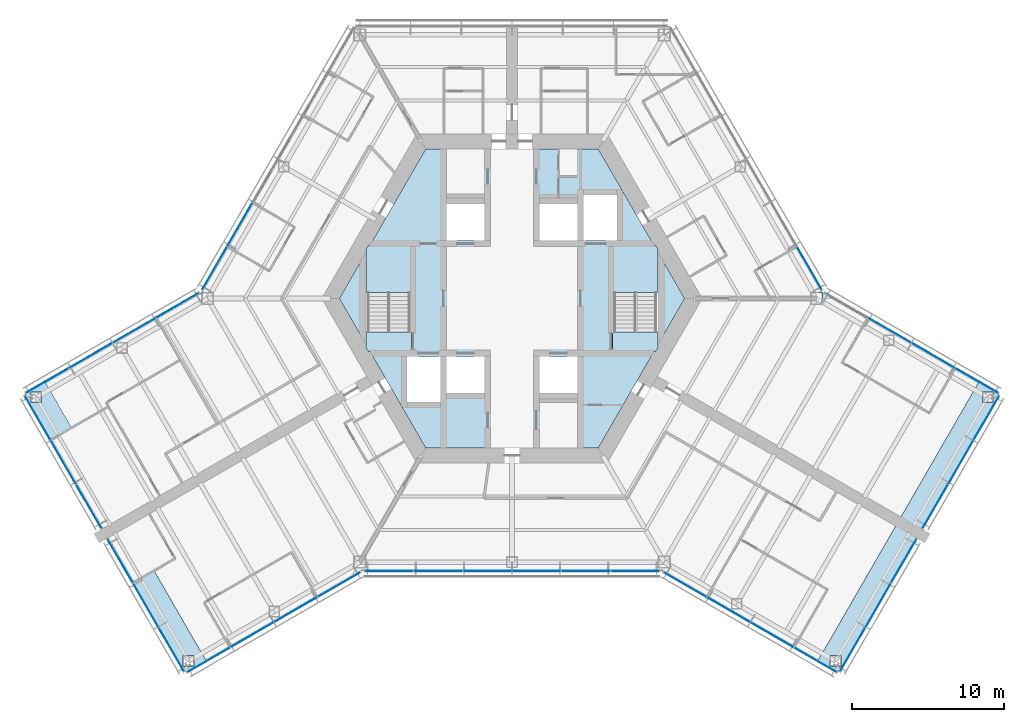
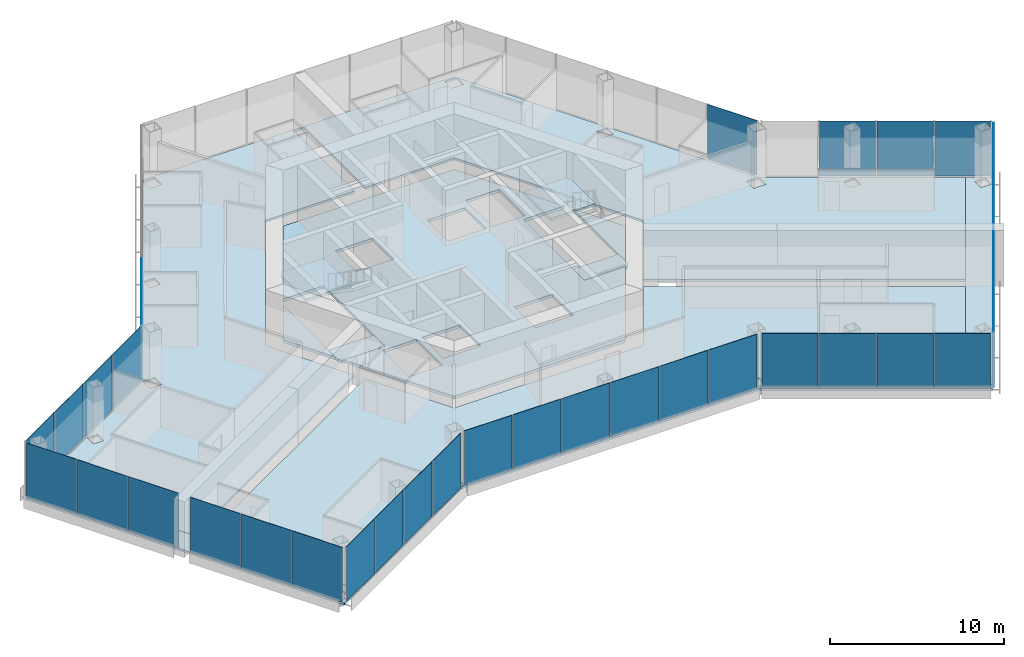
# One storey, part 10 of 18: 36 plates, 11 slabs, 13 elements without a shape of their own.
"""IFC4 building model written with IfcOpenShell, lengths in metres."""

from ifc_helpers import new_model, si_unit, direction, frame, origin, origin_2d, place, context, subcontext, project, spatial, polyline, rectangle, outline, extrude, material, layer, layer_set, type_object, element, aggregate, save


model = new_model("IFC4")

# Units and contexts
model_context = context("Model", 3, precision=1e-05, world=origin(), true_north=direction((0.0, 1.0)))
body_context = subcontext(model_context, "Body", "Model", "MODEL_VIEW")
ifc_project = project(units=[si_unit("LENGTHUNIT", "METRE"), si_unit("AREAUNIT", "SQUARE_METRE"), si_unit("VOLUMEUNIT", "CUBIC_METRE"), si_unit("PLANEANGLEUNIT", "RADIAN"), si_unit("MASSUNIT", "GRAM", prefix="KILO")], contexts=[model_context])

# Site, building, storey
site_placement = place(None, origin())
site = spatial("IfcSite", under=ifc_project, at=site_placement, CompositionType="ELEMENT")
building_placement = place(site_placement, origin())
building = spatial("IfcBuilding", under=site, at=building_placement, Name="Kasaneha Research Tower", CompositionType="ELEMENT")
storey_placement = place(building_placement, frame((0.0, 0.0, 152.60009765625)))
storey = spatial("IfcBuildingStorey", under=building, at=storey_placement, Name="L38", CompositionType="ELEMENT", Elevation=152.60009765625)

# Curtain wall, plates
ifc_material_1 = material(Name="Glass and aluminium", Category="aluminium")
curtain_wall_type = type_object("IfcCurtainWallType", Name="Mid-rise office curtain wall", PredefinedType="USERDEFINED", material=ifc_material_1)
curtain_wall_1_placement = place(storey_placement, origin())
curtain_wall_1 = element("IfcCurtainWall", 1, at=curtain_wall_1_placement, inside=storey, type_object=curtain_wall_type, Name="CW-O2 L38 run 01a", ObjectType="UNITISED CURTAIN WALL", PredefinedType="USERDEFINED")
ifc_material_2 = material(Name="Laminated double glazing", Category="glass")
ifc_layer_1 = layer(ifc_material_2, 0.02587890625)
ifc_layer_set_1 = layer_set([ifc_layer_1], Name="CW-O2 glazed panel")
plate_type = type_object("IfcPlateType", Name="CW-O2 glazed panel", PredefinedType="CURTAIN_PANEL", material=ifc_layer_set_1)
plate_1_placement = place(storey_placement, frame((-8.10107421875, -17.92041015625, 0.06005859375), z_axis=(0.0, 0.0, 1.0), x_axis=(1.0, 0.0, 0.0)))
plate_1 = element("IfcPlate", 2, at=plate_1_placement, type_object=plate_type, Name="CW-O2 panel 1", PredefinedType="CURTAIN_PANEL", context=body_context, shape_type="SweptSolid", body=[
    extrude(rectangle(XDim=3.156494140625, YDim=0.02587890625, at=origin_2d()), origin(), (0.0, 0.0, 1.0), 3.840087890625),
])
plate_2_placement = place(storey_placement, frame((-4.86962890625, -17.92041015625, 0.06005859375), z_axis=(0.0, 0.0, 1.0), x_axis=(1.0, 0.0, 0.0)))
plate_2 = element("IfcPlate", 3, at=plate_2_placement, type_object=plate_type, Name="CW-O2 panel 2", PredefinedType="CURTAIN_PANEL", context=body_context, shape_type="SweptSolid", body=[
    extrude(rectangle(XDim=3.1865234375, YDim=0.02587890625, at=origin_2d()), origin(), (0.0, 0.0, 1.0), 3.840087890625),
])
plate_3_placement = place(storey_placement, frame((-1.623291015625, -17.92041015625, 0.06005859375), z_axis=(0.0, 0.0, 1.0), x_axis=(1.0, 0.0, 0.0)))
plate_3 = element("IfcPlate", 4, at=plate_3_placement, type_object=plate_type, Name="CW-O2 panel 3", PredefinedType="CURTAIN_PANEL", context=body_context, shape_type="SweptSolid", body=[
    extrude(rectangle(XDim=3.1865234375, YDim=0.02587890625, at=origin_2d()), origin(), (0.0, 0.0, 1.0), 3.840087890625),
])
plate_4_placement = place(storey_placement, frame((1.623291015625, -17.92041015625, 0.06005859375), z_axis=(0.0, 0.0, 1.0), x_axis=(1.0, 0.0, 0.0)))
plate_4 = element("IfcPlate", 5, at=plate_4_placement, type_object=plate_type, Name="CW-O2 panel 4", PredefinedType="CURTAIN_PANEL", context=body_context, shape_type="SweptSolid", body=[
    extrude(rectangle(XDim=3.1865234375, YDim=0.02587890625, at=origin_2d()), origin(), (0.0, 0.0, 1.0), 3.840087890625),
])
plate_5_placement = place(storey_placement, frame((4.86962890625, -17.92041015625, 0.06005859375), z_axis=(0.0, 0.0, 1.0), x_axis=(1.0, 0.0, 0.0)))
plate_5 = element("IfcPlate", 6, at=plate_5_placement, type_object=plate_type, Name="CW-O2 panel 5", PredefinedType="CURTAIN_PANEL", context=body_context, shape_type="SweptSolid", body=[
    extrude(rectangle(XDim=3.1865234375, YDim=0.02587890625, at=origin_2d()), origin(), (0.0, 0.0, 1.0), 3.840087890625),
])
plate_6_placement = place(storey_placement, frame((8.10107421875, -17.92041015625, 0.06005859375), z_axis=(0.0, 0.0, 1.0), x_axis=(1.0, 0.0, 0.0)))
plate_6 = element("IfcPlate", 7, at=plate_6_placement, type_object=plate_type, Name="CW-O2 panel 6", PredefinedType="CURTAIN_PANEL", context=body_context, shape_type="SweptSolid", body=[
    extrude(rectangle(XDim=3.156494140625, YDim=0.02587890625, at=origin_2d()), origin(), (0.0, 0.0, 1.0), 3.840087890625),
])
aggregate(curtain_wall_1, [plate_1, plate_2, plate_3, plate_4, plate_5, plate_6])

curtain_wall_2_placement = place(storey_placement, origin())
curtain_wall_2 = element("IfcCurtainWall", 8, at=curtain_wall_2_placement, inside=storey, type_object=curtain_wall_type, Name="CW-O2 L38 run 02a", ObjectType="UNITISED CURTAIN WALL", PredefinedType="USERDEFINED")
plate_7_placement = place(storey_placement, frame((11.3720703125, -18.805419921875, 0.06005859375), z_axis=(0.0, 0.0, 1.0), x_axis=(0.866025411464, -0.499999986699, 0.0)))
plate_7 = element("IfcPlate", 9, at=plate_7_placement, type_object=plate_type, Name="CW-O2 panel 1", PredefinedType="CURTAIN_PANEL", context=body_context, shape_type="SweptSolid", body=[
    extrude(rectangle(XDim=3.2197265625, YDim=0.02587890625, at=origin_2d()), origin(), (0.0, 0.0, 1.0), 3.840087890625),
])
plate_8_placement = place(storey_placement, frame((14.225341796875, -20.452880859375, 0.06005859375), z_axis=(0.0, 0.0, 1.0), x_axis=(0.866025411464, -0.499999986699, 0.0)))
plate_8 = element("IfcPlate", 10, at=plate_8_placement, type_object=plate_type, Name="CW-O2 panel 2", PredefinedType="CURTAIN_PANEL", context=body_context, shape_type="SweptSolid", body=[
    extrude(rectangle(XDim=3.249755859375, YDim=0.02587890625, at=origin_2d()), origin(), (0.0, 0.0, 1.0), 3.840087890625),
])
plate_9_placement = place(storey_placement, frame((17.091796875, -22.107666015625, 0.06005859375), z_axis=(0.0, 0.0, 1.0), x_axis=(0.866025411464, -0.499999986699, 0.0)))
plate_9 = element("IfcPlate", 11, at=plate_9_placement, type_object=plate_type, Name="CW-O2 panel 3", PredefinedType="CURTAIN_PANEL", context=body_context, shape_type="SweptSolid", body=[
    extrude(rectangle(XDim=3.249755859375, YDim=0.02587890625, at=origin_2d()), origin(), (0.0, 0.0, 1.0), 3.840087890625),
])
plate_10_placement = place(storey_placement, frame((19.945068359375, -23.755126953125, 0.06005859375), z_axis=(0.0, 0.0, 1.0), x_axis=(0.866025411464, -0.499999986699, 0.0)))
plate_10 = element("IfcPlate", 12, at=plate_10_placement, type_object=plate_type, Name="CW-O2 panel 4", PredefinedType="CURTAIN_PANEL", context=body_context, shape_type="SweptSolid", body=[
    extrude(rectangle(XDim=3.2197265625, YDim=0.02587890625, at=origin_2d()), origin(), (0.0, 0.0, 1.0), 3.840087890625),
])
aggregate(curtain_wall_2, [plate_7, plate_8, plate_9, plate_10])

curtain_wall_3_placement = place(storey_placement, origin())
curtain_wall_3 = element("IfcCurtainWall", 13, at=curtain_wall_3_placement, inside=storey, type_object=curtain_wall_type, Name="CW-O2 L38 run 03a", ObjectType="UNITISED CURTAIN WALL", PredefinedType="USERDEFINED")
plate_11_placement = place(storey_placement, frame((22.38134765625, -23.075439453125, 0.06005859375), z_axis=(0.0, 0.0, 1.0), x_axis=(0.500000011442, 0.866025397178, 0.0)))
plate_11 = element("IfcPlate", 14, at=plate_11_placement, type_object=plate_type, Name="CW-O2 panel 1", PredefinedType="CURTAIN_PANEL", context=body_context, shape_type="SweptSolid", body=[
    extrude(rectangle(XDim=3.293212890625, YDim=0.02587890625, at=origin_2d()), origin(), (0.0, 0.0, 1.0), 3.840087890625),
])
plate_12_placement = place(storey_placement, frame((24.0654296875, -20.158447265625, 0.06005859375), z_axis=(0.0, 0.0, 1.0), x_axis=(0.500000011442, 0.866025397178, 0.0)))
plate_12 = element("IfcPlate", 15, at=plate_12_placement, type_object=plate_type, Name="CW-O2 panel 2", PredefinedType="CURTAIN_PANEL", context=body_context, shape_type="SweptSolid", body=[
    extrude(rectangle(XDim=3.3232421875, YDim=0.02587890625, at=origin_2d()), origin(), (0.0, 0.0, 1.0), 3.840087890625),
])
plate_13_placement = place(storey_placement, frame((25.74951171875, -17.241455078125, 0.06005859375), z_axis=(0.0, 0.0, 1.0), x_axis=(0.500000011442, 0.866025397178, 0.0)))
plate_13 = element("IfcPlate", 16, at=plate_13_placement, type_object=plate_type, Name="CW-O2 panel 3", PredefinedType="CURTAIN_PANEL", context=body_context, shape_type="SweptSolid", body=[
    extrude(rectangle(XDim=3.293212890625, YDim=0.02587890625, at=origin_2d()), origin(), (0.0, 0.0, 1.0), 3.840087890625),
])
aggregate(curtain_wall_3, [plate_11, plate_12, plate_13])

curtain_wall_4_placement = place(storey_placement, origin())
curtain_wall_4 = element("IfcCurtainWall", 17, at=curtain_wall_4_placement, inside=storey, type_object=curtain_wall_type, Name="CW-O2 L38 run 04a", ObjectType="UNITISED CURTAIN WALL", PredefinedType="USERDEFINED")
plate_14_placement = place(storey_placement, frame((27.806396484375, -13.67919921875, 0.06005859375), z_axis=(0.0, 0.0, 1.0), x_axis=(0.500000011442, 0.866025397178, 0.0)))
plate_14 = element("IfcPlate", 18, at=plate_14_placement, type_object=plate_type, Name="CW-O2 panel 1", PredefinedType="CURTAIN_PANEL", context=body_context, shape_type="SweptSolid", body=[
    extrude(rectangle(XDim=3.293212890625, YDim=0.02587890625, at=origin_2d()), origin(), (0.0, 0.0, 1.0), 3.840087890625),
])
plate_15_placement = place(storey_placement, frame((29.490478515625, -10.761962890625, 0.06005859375), z_axis=(0.0, 0.0, 1.0), x_axis=(0.500000011442, 0.866025397178, 0.0)))
plate_15 = element("IfcPlate", 19, at=plate_15_placement, type_object=plate_type, Name="CW-O2 panel 2", PredefinedType="CURTAIN_PANEL", context=body_context, shape_type="SweptSolid", body=[
    extrude(rectangle(XDim=3.3232421875, YDim=0.02587890625, at=origin_2d()), origin(), (0.0, 0.0, 1.0), 3.840087890625),
])
plate_16_placement = place(storey_placement, frame((31.174560546875, -7.844970703125, 0.06005859375), z_axis=(0.0, 0.0, 1.0), x_axis=(0.500000011442, 0.866025397178, 0.0)))
plate_16 = element("IfcPlate", 20, at=plate_16_placement, type_object=plate_type, Name="CW-O2 panel 3", PredefinedType="CURTAIN_PANEL", context=body_context, shape_type="SweptSolid", body=[
    extrude(rectangle(XDim=3.293212890625, YDim=0.02587890625, at=origin_2d()), origin(), (0.0, 0.0, 1.0), 3.840087890625),
])
aggregate(curtain_wall_4, [plate_14, plate_15, plate_16])

curtain_wall_5_placement = place(storey_placement, origin())
curtain_wall_5 = element("IfcCurtainWall", 21, at=curtain_wall_5_placement, inside=storey, type_object=curtain_wall_type, Name="CW-O2 L38 run 05a", ObjectType="UNITISED CURTAIN WALL", PredefinedType="USERDEFINED")
plate_17_placement = place(storey_placement, frame((30.545166015625, -5.3955078125, 0.06005859375), z_axis=(0.0, 0.0, 1.0), x_axis=(-0.866025411464, 0.499999986699, 0.0)))
plate_17 = element("IfcPlate", 22, at=plate_17_placement, type_object=plate_type, Name="CW-O2 panel 1", PredefinedType="CURTAIN_PANEL", context=body_context, shape_type="SweptSolid", body=[
    extrude(rectangle(XDim=3.2197265625, YDim=0.02587890625, at=origin_2d()), origin(), (0.0, 0.0, 1.0), 3.840087890625),
])
plate_18_placement = place(storey_placement, frame((27.69189453125, -3.748046875, 0.06005859375), z_axis=(0.0, 0.0, 1.0), x_axis=(-0.866025411464, 0.499999986699, 0.0)))
plate_18 = element("IfcPlate", 23, at=plate_18_placement, type_object=plate_type, Name="CW-O2 panel 2", PredefinedType="CURTAIN_PANEL", context=body_context, shape_type="SweptSolid", body=[
    extrude(rectangle(XDim=3.249755859375, YDim=0.02587890625, at=origin_2d()), origin(), (0.0, 0.0, 1.0), 3.840087890625),
])
plate_19_placement = place(storey_placement, frame((24.825439453125, -2.093017578125, 0.06005859375), z_axis=(0.0, 0.0, 1.0), x_axis=(-0.866025411464, 0.499999986699, 0.0)))
plate_19 = element("IfcPlate", 24, at=plate_19_placement, type_object=plate_type, Name="CW-O2 panel 3", PredefinedType="CURTAIN_PANEL", context=body_context, shape_type="SweptSolid", body=[
    extrude(rectangle(XDim=3.249755859375, YDim=0.02587890625, at=origin_2d()), origin(), (0.0, 0.0, 1.0), 3.840087890625),
])
aggregate(curtain_wall_5, [plate_17, plate_18, plate_19])

# Curtain wall, plate
curtain_wall_6_placement = place(storey_placement, origin())
curtain_wall_6 = element("IfcCurtainWall", 25, at=curtain_wall_6_placement, inside=storey, type_object=curtain_wall_type, Name="CW-O2 L38 run 06a", ObjectType="UNITISED CURTAIN WALL", PredefinedType="USERDEFINED")
plate_20_placement = place(storey_placement, frame((19.549072265625, 1.981201171875, 0.06005859375), z_axis=(0.0, 0.0, 1.0), x_axis=(-0.499999979232, 0.866025415775, 0.0)))
plate_20 = element("IfcPlate", 26, at=plate_20_placement, type_object=plate_type, Name="CW-O2 panel 1", PredefinedType="CURTAIN_PANEL", context=body_context, shape_type="SweptSolid", body=[
    extrude(rectangle(XDim=3.240966796875, YDim=0.02587890625, at=origin_2d()), origin(), (0.0, 0.0, 1.0), 3.840087890625),
])
aggregate(curtain_wall_6, [plate_20])

# Curtain wall, plates
curtain_wall_7_placement = place(storey_placement, origin())
curtain_wall_7 = element("IfcCurtainWall", 27, at=curtain_wall_7_placement, inside=storey, type_object=curtain_wall_type, Name="CW-O2 L38 run 08a", ObjectType="UNITISED CURTAIN WALL", PredefinedType="USERDEFINED")
plate_21_placement = place(storey_placement, frame((-17.89111328125, 4.852783203125, 0.06005859375), z_axis=(0.0, 0.0, 1.0), x_axis=(-0.499999979232, -0.866025415775, 0.0)))
plate_21 = element("IfcPlate", 28, at=plate_21_placement, type_object=plate_type, Name="CW-O2 panel 5", PredefinedType="CURTAIN_PANEL", context=body_context, shape_type="SweptSolid", body=[
    extrude(rectangle(XDim=3.27099609375, YDim=0.02587890625, at=origin_2d()), origin(), (0.0, 0.0, 1.0), 3.840087890625),
])
plate_22_placement = place(storey_placement, frame((-19.549072265625, 1.981201171875, 0.06005859375), z_axis=(0.0, 0.0, 1.0), x_axis=(-0.499999979232, -0.866025415775, 0.0)))
plate_22 = element("IfcPlate", 29, at=plate_22_placement, type_object=plate_type, Name="CW-O2 panel 6", PredefinedType="CURTAIN_PANEL", context=body_context, shape_type="SweptSolid", body=[
    extrude(rectangle(XDim=3.240966796875, YDim=0.02587890625, at=origin_2d()), origin(), (0.0, 0.0, 1.0), 3.840087890625),
])
aggregate(curtain_wall_7, [plate_21, plate_22])

curtain_wall_8_placement = place(storey_placement, origin())
curtain_wall_8 = element("IfcCurtainWall", 30, at=curtain_wall_8_placement, inside=storey, type_object=curtain_wall_type, Name="CW-O2 L38 run 09a", ObjectType="UNITISED CURTAIN WALL", PredefinedType="USERDEFINED")
plate_23_placement = place(storey_placement, frame((-21.971923828125, -0.44580078125, 0.06005859375), z_axis=(0.0, 0.0, 1.0), x_axis=(-0.866025411464, -0.499999986699, 0.0)))
plate_23 = element("IfcPlate", 31, at=plate_23_placement, type_object=plate_type, Name="CW-O2 panel 1", PredefinedType="CURTAIN_PANEL", context=body_context, shape_type="SweptSolid", body=[
    extrude(rectangle(XDim=3.2197265625, YDim=0.02587890625, at=origin_2d()), origin(), (0.0, 0.0, 1.0), 3.840087890625),
])
plate_24_placement = place(storey_placement, frame((-24.825439453125, -2.093017578125, 0.06005859375), z_axis=(0.0, 0.0, 1.0), x_axis=(-0.866025411464, -0.499999986699, 0.0)))
plate_24 = element("IfcPlate", 32, at=plate_24_placement, type_object=plate_type, Name="CW-O2 panel 2", PredefinedType="CURTAIN_PANEL", context=body_context, shape_type="SweptSolid", body=[
    extrude(rectangle(XDim=3.249755859375, YDim=0.02587890625, at=origin_2d()), origin(), (0.0, 0.0, 1.0), 3.840087890625),
])
plate_25_placement = place(storey_placement, frame((-27.69189453125, -3.748046875, 0.06005859375), z_axis=(0.0, 0.0, 1.0), x_axis=(-0.866025411464, -0.499999986699, 0.0)))
plate_25 = element("IfcPlate", 33, at=plate_25_placement, type_object=plate_type, Name="CW-O2 panel 3", PredefinedType="CURTAIN_PANEL", context=body_context, shape_type="SweptSolid", body=[
    extrude(rectangle(XDim=3.249755859375, YDim=0.02587890625, at=origin_2d()), origin(), (0.0, 0.0, 1.0), 3.840087890625),
])
plate_26_placement = place(storey_placement, frame((-30.545166015625, -5.3955078125, 0.06005859375), z_axis=(0.0, 0.0, 1.0), x_axis=(-0.866025411464, -0.499999986699, 0.0)))
plate_26 = element("IfcPlate", 34, at=plate_26_placement, type_object=plate_type, Name="CW-O2 panel 4", PredefinedType="CURTAIN_PANEL", context=body_context, shape_type="SweptSolid", body=[
    extrude(rectangle(XDim=3.2197265625, YDim=0.02587890625, at=origin_2d()), origin(), (0.0, 0.0, 1.0), 3.840087890625),
])
aggregate(curtain_wall_8, [plate_23, plate_24, plate_25, plate_26])

curtain_wall_9_placement = place(storey_placement, origin())
curtain_wall_9 = element("IfcCurtainWall", 35, at=curtain_wall_9_placement, inside=storey, type_object=curtain_wall_type, Name="CW-O2 L38 run 10a", ObjectType="UNITISED CURTAIN WALL", PredefinedType="USERDEFINED")
plate_27_placement = place(storey_placement, frame((-31.174560546875, -7.844970703125, 0.06005859375), z_axis=(0.0, 0.0, 1.0), x_axis=(0.500000011442, -0.866025397178, 0.0)))
plate_27 = element("IfcPlate", 36, at=plate_27_placement, type_object=plate_type, Name="CW-O2 panel 1", PredefinedType="CURTAIN_PANEL", context=body_context, shape_type="SweptSolid", body=[
    extrude(rectangle(XDim=3.293212890625, YDim=0.02587890625, at=origin_2d()), origin(), (0.0, 0.0, 1.0), 3.840087890625),
])
plate_28_placement = place(storey_placement, frame((-29.490478515625, -10.761962890625, 0.06005859375), z_axis=(0.0, 0.0, 1.0), x_axis=(0.500000011442, -0.866025397178, 0.0)))
plate_28 = element("IfcPlate", 37, at=plate_28_placement, type_object=plate_type, Name="CW-O2 panel 2", PredefinedType="CURTAIN_PANEL", context=body_context, shape_type="SweptSolid", body=[
    extrude(rectangle(XDim=3.3232421875, YDim=0.02587890625, at=origin_2d()), origin(), (0.0, 0.0, 1.0), 3.840087890625),
])
plate_29_placement = place(storey_placement, frame((-27.806396484375, -13.67919921875, 0.06005859375), z_axis=(0.0, 0.0, 1.0), x_axis=(0.500000011442, -0.866025397178, 0.0)))
plate_29 = element("IfcPlate", 38, at=plate_29_placement, type_object=plate_type, Name="CW-O2 panel 3", PredefinedType="CURTAIN_PANEL", context=body_context, shape_type="SweptSolid", body=[
    extrude(rectangle(XDim=3.293212890625, YDim=0.02587890625, at=origin_2d()), origin(), (0.0, 0.0, 1.0), 3.840087890625),
])
aggregate(curtain_wall_9, [plate_27, plate_28, plate_29])

curtain_wall_10_placement = place(storey_placement, origin())
curtain_wall_10 = element("IfcCurtainWall", 39, at=curtain_wall_10_placement, inside=storey, type_object=curtain_wall_type, Name="CW-O2 L38 run 11a", ObjectType="UNITISED CURTAIN WALL", PredefinedType="USERDEFINED")
plate_30_placement = place(storey_placement, frame((-25.74951171875, -17.241455078125, 0.06005859375), z_axis=(0.0, 0.0, 1.0), x_axis=(0.500000011442, -0.866025397178, 0.0)))
plate_30 = element("IfcPlate", 40, at=plate_30_placement, type_object=plate_type, Name="CW-O2 panel 1", PredefinedType="CURTAIN_PANEL", context=body_context, shape_type="SweptSolid", body=[
    extrude(rectangle(XDim=3.293212890625, YDim=0.02587890625, at=origin_2d()), origin(), (0.0, 0.0, 1.0), 3.840087890625),
])
plate_31_placement = place(storey_placement, frame((-24.0654296875, -20.158447265625, 0.06005859375), z_axis=(0.0, 0.0, 1.0), x_axis=(0.500000011442, -0.866025397178, 0.0)))
plate_31 = element("IfcPlate", 41, at=plate_31_placement, type_object=plate_type, Name="CW-O2 panel 2", PredefinedType="CURTAIN_PANEL", context=body_context, shape_type="SweptSolid", body=[
    extrude(rectangle(XDim=3.3232421875, YDim=0.02587890625, at=origin_2d()), origin(), (0.0, 0.0, 1.0), 3.840087890625),
])
plate_32_placement = place(storey_placement, frame((-22.38134765625, -23.075439453125, 0.06005859375), z_axis=(0.0, 0.0, 1.0), x_axis=(0.500000011442, -0.866025397178, 0.0)))
plate_32 = element("IfcPlate", 42, at=plate_32_placement, type_object=plate_type, Name="CW-O2 panel 3", PredefinedType="CURTAIN_PANEL", context=body_context, shape_type="SweptSolid", body=[
    extrude(rectangle(XDim=3.293212890625, YDim=0.02587890625, at=origin_2d()), origin(), (0.0, 0.0, 1.0), 3.840087890625),
])
aggregate(curtain_wall_10, [plate_30, plate_31, plate_32])

curtain_wall_11_placement = place(storey_placement, origin())
curtain_wall_11 = element("IfcCurtainWall", 43, at=curtain_wall_11_placement, inside=storey, type_object=curtain_wall_type, Name="CW-O2 L38 run 12a", ObjectType="UNITISED CURTAIN WALL", PredefinedType="USERDEFINED")
plate_33_placement = place(storey_placement, frame((-19.945068359375, -23.755126953125, 0.06005859375), z_axis=(0.0, 0.0, 1.0), x_axis=(0.866025411464, 0.499999986699, 0.0)))
plate_33 = element("IfcPlate", 44, at=plate_33_placement, type_object=plate_type, Name="CW-O2 panel 1", PredefinedType="CURTAIN_PANEL", context=body_context, shape_type="SweptSolid", body=[
    extrude(rectangle(XDim=3.2197265625, YDim=0.02587890625, at=origin_2d()), origin(), (0.0, 0.0, 1.0), 3.840087890625),
])
plate_34_placement = place(storey_placement, frame((-17.091796875, -22.107666015625, 0.06005859375), z_axis=(0.0, 0.0, 1.0), x_axis=(0.866025411464, 0.499999986699, 0.0)))
plate_34 = element("IfcPlate", 45, at=plate_34_placement, type_object=plate_type, Name="CW-O2 panel 2", PredefinedType="CURTAIN_PANEL", context=body_context, shape_type="SweptSolid", body=[
    extrude(rectangle(XDim=3.249755859375, YDim=0.02587890625, at=origin_2d()), origin(), (0.0, 0.0, 1.0), 3.840087890625),
])
plate_35_placement = place(storey_placement, frame((-14.225341796875, -20.452880859375, 0.06005859375), z_axis=(0.0, 0.0, 1.0), x_axis=(0.866025411464, 0.499999986699, 0.0)))
plate_35 = element("IfcPlate", 46, at=plate_35_placement, type_object=plate_type, Name="CW-O2 panel 3", PredefinedType="CURTAIN_PANEL", context=body_context, shape_type="SweptSolid", body=[
    extrude(rectangle(XDim=3.249755859375, YDim=0.02587890625, at=origin_2d()), origin(), (0.0, 0.0, 1.0), 3.840087890625),
])
plate_36_placement = place(storey_placement, frame((-11.3720703125, -18.805419921875, 0.06005859375), z_axis=(0.0, 0.0, 1.0), x_axis=(0.866025411464, 0.499999986699, 0.0)))
plate_36 = element("IfcPlate", 47, at=plate_36_placement, type_object=plate_type, Name="CW-O2 panel 4", PredefinedType="CURTAIN_PANEL", context=body_context, shape_type="SweptSolid", body=[
    extrude(rectangle(XDim=3.2197265625, YDim=0.02587890625, at=origin_2d()), origin(), (0.0, 0.0, 1.0), 3.840087890625),
])
aggregate(curtain_wall_11, [plate_33, plate_34, plate_35, plate_36])

# Slabs
ifc_material_3 = material(Name="Concrete Fc24", Category="concrete")
ifc_layer_2 = layer(ifc_material_3, 0.199951171875)
ifc_layer_set_2 = layer_set([ifc_layer_2], Name="Core floor slab 200")
slab_type_1 = type_object("IfcSlabType", Name="Core floor slab 200", PredefinedType="FLOOR", material=ifc_layer_set_2)
slab_1_placement = place(storey_placement, frame((0.0, 0.0, -0.2001953125)))
element("IfcSlab", 48, at=slab_1_placement, inside=storey, type_object=slab_type_1, Name="Core slab L38", PredefinedType="FLOOR", context=body_context, shape_type="SweptSolid", body=[
    extrude(outline(polyline([(-11.344970703125, 0.0), (-9.60009765625, 3.022216796875), (-9.60009765625, -3.022216796875), (-11.344970703125, 0.0)])), origin(), (0.0, 0.0, 1.0), 0.2001953125),
])
slab_2_placement = place(storey_placement, frame((0.0, 0.0, -0.2001953125)))
element("IfcSlab", 49, at=slab_2_placement, inside=storey, type_object=slab_type_1, Name="Core slab L38", PredefinedType="FLOOR", context=body_context, shape_type="SweptSolid", body=[
    extrude(outline(polyline([(-5.67236328125, 9.824951171875), (5.67236328125, 9.824951171875), (9.32421875, 3.5), (6.60009765625, 3.5), (6.60009765625, -3.5), (9.32421875, -3.5), (5.67236328125, -9.824951171875), (-5.67236328125, -9.824951171875), (-9.32421875, -3.5), (-6.60009765625, -3.5), (-6.60009765625, 3.5), (-9.32421875, 3.5), (-5.67236328125, 9.824951171875)]), holes=[polyline([(-6.89990234375, -3.800048828125), (-6.89990234375, -6.800048828125), (-4.699951171875, -6.800048828125), (-4.699951171875, -3.800048828125), (-6.89990234375, -3.800048828125)]), polyline([(-4.300048828125, -3.800048828125), (-4.300048828125, -6.199951171875), (-1.800048828125, -6.199951171875), (-1.800048828125, -3.800048828125), (-4.300048828125, -3.800048828125)]), polyline([(1.800048828125, -3.800048828125), (1.800048828125, -6.199951171875), (4.300048828125, -6.199951171875), (4.300048828125, -3.800048828125), (1.800048828125, -3.800048828125)]), polyline([(-4.300048828125, 6.199951171875), (-4.300048828125, 3.800048828125), (-1.800048828125, 3.800048828125), (-1.800048828125, 6.199951171875), (-4.300048828125, 6.199951171875)]), polyline([(1.800048828125, 6.199951171875), (1.800048828125, 3.800048828125), (4.300048828125, 3.800048828125), (4.300048828125, 6.199951171875), (1.800048828125, 6.199951171875)]), polyline([(4.699951171875, 6.800048828125), (4.699951171875, 3.800048828125), (6.89990234375, 3.800048828125), (6.89990234375, 6.800048828125), (4.699951171875, 6.800048828125)])]), origin(), (0.0, 0.0, 1.0), 0.2001953125),
])
slab_3_placement = place(storey_placement, frame((0.0, 0.0, -0.2001953125)))
element("IfcSlab", 50, at=slab_3_placement, inside=storey, type_object=slab_type_1, Name="Core slab L38", PredefinedType="FLOOR", context=body_context, shape_type="SweptSolid", body=[
    extrude(outline(polyline([(11.344970703125, 0.0), (9.60009765625, -3.022216796875), (9.60009765625, 3.022216796875), (11.344970703125, 0.0)])), origin(), (0.0, 0.0, 1.0), 0.2001953125),
])
ifc_material_4 = material(Name="Concrete Fc24", Category="concrete")
ifc_layer_3 = layer(ifc_material_4, 0.14990234375)
ifc_layer_set_3 = layer_set([ifc_layer_3], Name="Floor slab 150")
slab_type_2 = type_object("IfcSlabType", Name="Floor slab 150", PredefinedType="FLOOR", material=ifc_layer_set_3)
slab_4_placement = place(storey_placement, frame((0.0, 0.0, -0.150146484375)))
element("IfcSlab", 51, at=slab_4_placement, inside=storey, type_object=slab_type_2, Name="Floor slab L38 1", PredefinedType="FLOOR", context=body_context, shape_type="SweptSolid", body=[
    extrude(outline(polyline([(-32.009521484375, -6.298583984375), (-30.65869140625, -5.518798828125), (-25.55859375, -14.35205078125), (-25.5673828125, -14.357177734375), (-25.21728515625, -14.96337890625), (-25.208740234375, -14.958251953125), (-20.108642578125, -23.791748046875), (-21.459716796875, -24.57177734375), (-32.009521484375, -6.298583984375)]), holes=[polyline([(-20.908447265625, -24.17041015625), (-20.908447265625, -23.470458984375), (-21.6083984375, -23.470458984375), (-21.6083984375, -24.17041015625), (-20.908447265625, -24.17041015625)]), polyline([(-30.908447265625, -6.85009765625), (-30.908447265625, -6.14990234375), (-31.6083984375, -6.14990234375), (-31.6083984375, -6.85009765625), (-30.908447265625, -6.85009765625)])]), origin(), (0.0, 0.0, 1.0), 0.150146484375),
])
slab_5_placement = place(storey_placement, frame((0.0, 0.0, -0.150146484375)))
element("IfcSlab", 52, at=slab_5_placement, inside=storey, type_object=slab_type_2, Name="Floor slab L38 2", PredefinedType="FLOOR", context=body_context, shape_type="SweptSolid", body=[
    extrude(outline(polyline([(9.8525390625, -17.87060546875), (-9.8525390625, -17.87060546875), (-20.108642578125, -23.791748046875), (-25.208740234375, -14.958251953125), (-9.19970703125, -5.715576171875), (-6.249755859375, -10.824951171875), (6.249755859375, -10.824951171875), (9.19970703125, -5.715576171875), (25.208740234375, -14.958251953125), (20.108642578125, -23.791748046875), (9.8525390625, -17.87060546875)]), holes=[polyline([(-15.279052734375, -20.92041015625), (-15.279052734375, -20.220458984375), (-15.979248046875, -20.220458984375), (-15.979248046875, -20.92041015625), (-15.279052734375, -20.92041015625)]), polyline([(0.35009765625, -17.67041015625), (0.35009765625, -16.970458984375), (-0.35009765625, -16.970458984375), (-0.35009765625, -17.67041015625), (0.35009765625, -17.67041015625)]), polyline([(-10.39990234375, -17.720458984375), (-9.60009765625, -17.720458984375), (-9.60009765625, -16.92041015625), (-10.39990234375, -16.92041015625), (-10.39990234375, -17.720458984375)]), polyline([(15.113037109375, -20.42041015625), (15.113037109375, -19.720458984375), (14.4130859375, -19.720458984375), (14.4130859375, -20.42041015625), (15.113037109375, -20.42041015625)]), polyline([(9.60009765625, -17.720458984375), (10.39990234375, -17.720458984375), (10.39990234375, -16.92041015625), (9.60009765625, -16.92041015625), (9.60009765625, -17.720458984375)])]), origin(), (0.0, 0.0, 1.0), 0.150146484375),
])
slab_6_placement = place(storey_placement, frame((0.0, 0.0, -0.150146484375)))
element("IfcSlab", 53, at=slab_6_placement, inside=storey, type_object=slab_type_2, Name="Floor slab L38 3", PredefinedType="FLOOR", context=body_context, shape_type="SweptSolid", body=[
    extrude(outline(polyline([(-20.400146484375, -0.400146484375), (-19.599853515625, -0.400146484375), (-19.599853515625, 0.400146484375), (-20.385986328125, 0.400146484375), (-20.3974609375, 0.41162109375), (-10.40771484375, 17.714111328125), (-10.400146484375, 17.70654296875), (-10.400146484375, 16.92041015625), (-9.599853515625, 16.92041015625), (-9.599853515625, 17.720703125), (-10.385986328125, 17.720703125), (-10.3974609375, 17.732177734375), (-10.317626953125, 17.87060546875), (10.317626953125, 17.87060546875), (10.3974609375, 17.732177734375), (10.385986328125, 17.720703125), (9.599853515625, 17.720703125), (9.599853515625, 16.92041015625), (10.400146484375, 16.92041015625), (10.400146484375, 17.70654296875), (10.40771484375, 17.714111328125), (20.3974609375, 0.41162109375), (20.385986328125, 0.400146484375), (19.599853515625, 0.400146484375), (19.599853515625, -0.400146484375), (20.400146484375, -0.400146484375), (20.400146484375, 0.385986328125), (20.41162109375, 0.3974609375), (30.65869140625, -5.518798828125), (25.55859375, -14.35205078125), (9.5498046875, -5.109375), (12.49951171875, 0.0), (6.249755859375, 10.824951171875), (0.35009765625, 10.824951171875), (0.35009765625, 17.7705078125), (-0.35009765625, 17.7705078125), (-0.35009765625, 10.824951171875), (-6.249755859375, 10.824951171875), (-12.49951171875, 0.0), (-9.5498046875, -5.109375), (-25.55859375, -14.35205078125), (-30.65869140625, -5.518798828125), (-20.41162109375, 0.3974609375), (-20.400146484375, 0.385986328125), (-20.400146484375, -0.400146484375)]), holes=[polyline([(-25.279052734375, -3.60009765625), (-25.279052734375, -2.89990234375), (-25.979248046875, -2.89990234375), (-25.979248046875, -3.60009765625), (-25.279052734375, -3.60009765625)]), polyline([(-15.35009765625, 8.310302734375), (-14.64990234375, 8.310302734375), (-14.64990234375, 9.01025390625), (-15.35009765625, 9.01025390625), (-15.35009765625, 8.310302734375)]), polyline([(24.4130859375, -3.10009765625), (25.113037109375, -3.10009765625), (25.113037109375, -2.39990234375), (24.4130859375, -2.39990234375), (24.4130859375, -3.10009765625)]), polyline([(14.64990234375, 8.310302734375), (15.35009765625, 8.310302734375), (15.35009765625, 9.01025390625), (14.64990234375, 9.01025390625), (14.64990234375, 8.310302734375)])]), origin(), (0.0, 0.0, 1.0), 0.150146484375),
])
slab_7_placement = place(storey_placement, frame((0.0, 0.0, -0.150146484375)))
element("IfcSlab", 54, at=slab_7_placement, inside=storey, type_object=slab_type_2, Name="Floor slab L38 4", PredefinedType="FLOOR", context=body_context, shape_type="SweptSolid", body=[
    extrude(outline(polyline([(32.009521484375, -6.298583984375), (21.459716796875, -24.57177734375), (20.108642578125, -23.791748046875), (25.208740234375, -14.958251953125), (25.21728515625, -14.96337890625), (25.5673828125, -14.357177734375), (25.55859375, -14.35205078125), (30.65869140625, -5.518798828125), (32.009521484375, -6.298583984375)]), holes=[polyline([(21.6083984375, -24.17041015625), (21.6083984375, -23.470458984375), (20.908447265625, -23.470458984375), (20.908447265625, -24.17041015625), (21.6083984375, -24.17041015625)]), polyline([(31.6083984375, -6.85009765625), (31.6083984375, -6.14990234375), (30.908447265625, -6.14990234375), (30.908447265625, -6.85009765625), (31.6083984375, -6.85009765625)])]), origin(), (0.0, 0.0, 1.0), 0.150146484375),
])

# Stair, slabs
ifc_material_5 = material(Name="Concrete Fc24", Category="concrete")
stair_type = type_object("IfcStairType", Name="Half-turn stair 22 risers", PredefinedType="HALF_TURN_STAIR", material=ifc_material_5)
stair_1_placement = place(storey_placement, origin())
stair_1 = element("IfcStair", 55, at=stair_1_placement, inside=storey, type_object=stair_type, Name="Stair 1 L38", PredefinedType="HALF_TURN_STAIR")
ifc_material_6 = material(Name="Concrete Fc24", Category="concrete")
ifc_layer_4 = layer(ifc_material_6, 0.199951171875)
ifc_layer_set_4 = layer_set([ifc_layer_4], Name="Stair 1 landing 200")
slab_type_3 = type_object("IfcSlabType", Name="Stair 1 landing 200", PredefinedType="LANDING", material=ifc_layer_set_4)
slab_8_placement = place(storey_placement, frame((0.0, 0.0, -0.2001953125)))
slab_8 = element("IfcSlab", 56, at=slab_8_placement, type_object=slab_type_3, Name="ST1-22R landing 1", PredefinedType="LANDING", context=body_context, shape_type="SweptSolid", body=[
    extrude(outline(polyline([(9.439697265625, -3.5), (6.60009765625, -3.5), (6.60009765625, -2.199951171875), (9.60009765625, -2.199951171875), (9.60009765625, -3.222412109375), (9.439697265625, -3.5)])), origin(), (0.0, 0.0, 1.0), 0.2001953125),
])
slab_9_placement = place(storey_placement, frame((0.0, 0.0, 1.75)))
slab_9 = element("IfcSlab", 57, at=slab_9_placement, type_object=slab_type_3, Name="ST1-22R landing 2", PredefinedType="LANDING", context=body_context, shape_type="SweptSolid", body=[
    extrude(outline(polyline([(6.60009765625, 3.5), (9.439697265625, 3.5), (9.60009765625, 3.222412109375), (9.60009765625, 0.39990234375), (6.60009765625, 0.39990234375), (6.60009765625, 3.5)])), origin(), (0.0, 0.0, 1.0), 0.199951171875),
])
aggregate(stair_1, [slab_8, slab_9])

stair_2_placement = place(storey_placement, origin())
stair_2 = element("IfcStair", 58, at=stair_2_placement, inside=storey, type_object=stair_type, Name="Stair 2 L38", PredefinedType="HALF_TURN_STAIR")
ifc_material_7 = material(Name="Concrete Fc24", Category="concrete")
ifc_layer_5 = layer(ifc_material_7, 0.199951171875)
ifc_layer_set_5 = layer_set([ifc_layer_5], Name="Stair 2 landing 200")
slab_type_4 = type_object("IfcSlabType", Name="Stair 2 landing 200", PredefinedType="LANDING", material=ifc_layer_set_5)
slab_10_placement = place(storey_placement, frame((0.0, 0.0, -0.2001953125)))
slab_10 = element("IfcSlab", 59, at=slab_10_placement, type_object=slab_type_4, Name="ST2-22R landing 1", PredefinedType="LANDING", context=body_context, shape_type="SweptSolid", body=[
    extrude(outline(polyline([(-6.60009765625, -3.5), (-9.439697265625, -3.5), (-9.60009765625, -3.222412109375), (-9.60009765625, -2.199951171875), (-6.60009765625, -2.199951171875), (-6.60009765625, -3.5)])), origin(), (0.0, 0.0, 1.0), 0.2001953125),
])
slab_11_placement = place(storey_placement, frame((0.0, 0.0, 1.75)))
slab_11 = element("IfcSlab", 60, at=slab_11_placement, type_object=slab_type_4, Name="ST2-22R landing 2", PredefinedType="LANDING", context=body_context, shape_type="SweptSolid", body=[
    extrude(outline(polyline([(-6.60009765625, 0.39990234375), (-9.60009765625, 0.39990234375), (-9.60009765625, 3.222412109375), (-9.439697265625, 3.5), (-6.60009765625, 3.5), (-6.60009765625, 0.39990234375)])), origin(), (0.0, 0.0, 1.0), 0.199951171875),
])
aggregate(stair_2, [slab_10, slab_11])

save(model, "model.ifc")
